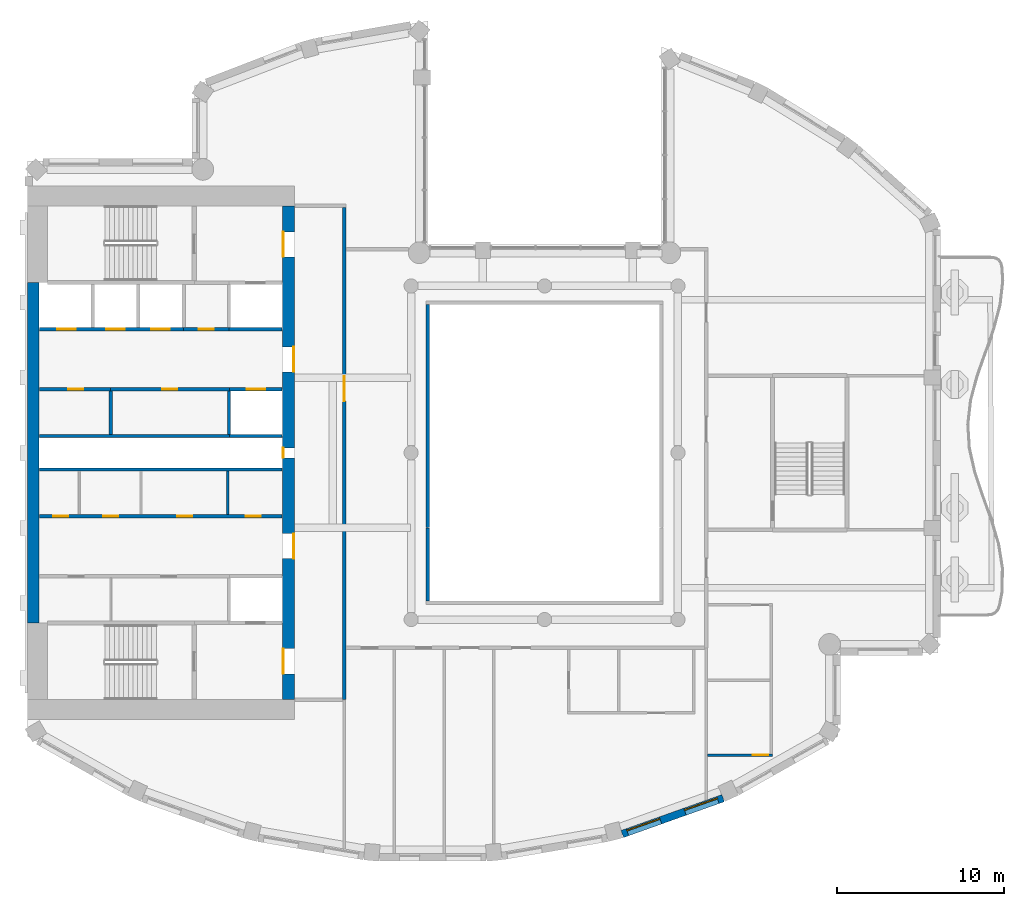
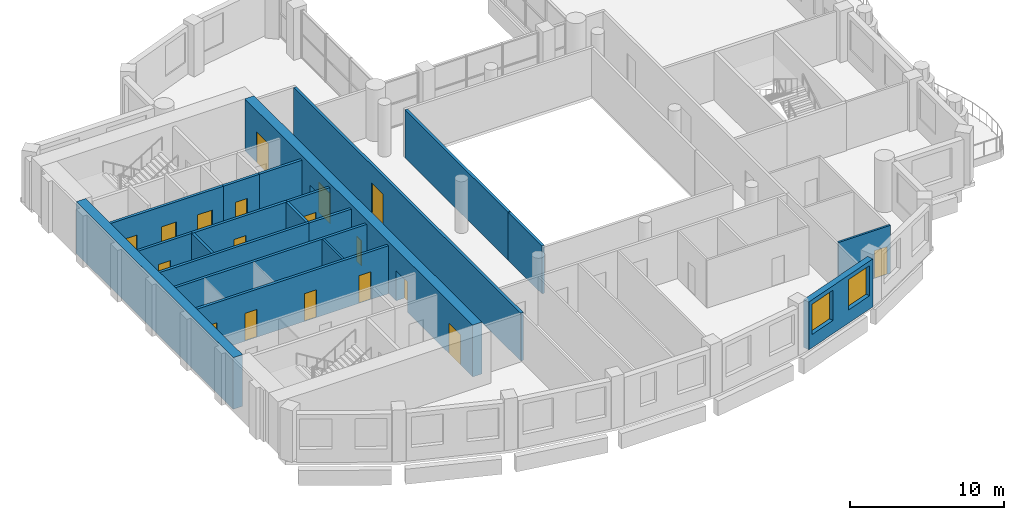
# One storey, part 5 of 14: 20 walls, 18 doors, 2 windows, 20 openings.
"""IFC4 building model written with IfcOpenShell, lengths in metres."""

from ifc_helpers import new_model, si_unit, direction, frame, frame_2d, origin, place, context, subcontext, project, spatial, rectangle, extrude, material, layer, layer_set, type_object, element, fill, save


model = new_model("IFC4")

# Units and contexts
model_context = context("Model", 3, precision=1e-05, world=origin(), true_north=direction((0.0, 1.0)))
body_context = subcontext(model_context, "Body", "Model", "MODEL_VIEW")
ifc_project = project(units=[si_unit("LENGTHUNIT", "METRE"), si_unit("AREAUNIT", "SQUARE_METRE"), si_unit("VOLUMEUNIT", "CUBIC_METRE"), si_unit("PLANEANGLEUNIT", "RADIAN"), si_unit("MASSUNIT", "GRAM", prefix="KILO")], contexts=[model_context])

# Site, building, storey
site_placement = place(None, origin())
site = spatial("IfcSite", under=ifc_project, at=site_placement, CompositionType="ELEMENT")
building_placement = place(site_placement, origin())
building = spatial("IfcBuilding", under=site, at=building_placement, Name="Cypress Arch Tower", CompositionType="ELEMENT")
storey_placement = place(building_placement, frame((0.0, 0.0, 268.0)))
storey = spatial("IfcBuildingStorey", under=building, at=storey_placement, Name="L60", CompositionType="ELEMENT", Elevation=268.0)

# Wall, openings, windows
ifc_material_1 = material(Name="Brick (red buff blend)", Category="masonry")
ifc_layer_1 = layer(ifc_material_1, 0.449951171875)
ifc_layer_set_1 = layer_set([ifc_layer_1], Name="Brick pier and spandrel wall BW450")
wall_type_1 = type_object("IfcWallType", Name="Brick pier and spandrel wall BW450", PredefinedType="SOLIDWALL", material=ifc_layer_set_1)
wall_1_placement = place(storey_placement, frame((5.66455078125, -22.859375, 0.0), z_axis=(0.0, 0.0, 1.0), x_axis=(0.942108340262, 0.335308626803, 0.0)))
wall_1 = element("IfcWall", 1, at=wall_1_placement, inside=storey, type_object=wall_type_1, Name="Brick wall L60 C13.0", PredefinedType="SOLIDWALL", context=body_context, shape_type="SweptSolid", body=[
    extrude(rectangle(XDim=6.41162109375, YDim=0.449951171875, at=frame_2d((3.205810546875, 0.0))), origin(), (0.0, 0.0, 1.0), 3.800048828125),
])
opening_1_placement = place(wall_1_placement, frame((0.3271484375, 0.0, 1.050048828125)))
opening_1 = element("IfcOpeningElement", 2, at=opening_1_placement, cuts=wall_1, Name="Opening W210O", PredefinedType="OPENING", context=body_context, shape_type="SweptSolid", body=[
    extrude(rectangle(XDim=2.10009765625, YDim=2.39990234375, at=frame_2d((1.050048828125, 1.199951171875))), frame((0.0, 0.23486328125, 0.0), z_axis=(0.0, -1.0, 0.0), x_axis=(1.0, 0.0, 0.0)), (0.0, 0.0, 1.0), 0.469970703125),
])
opening_2_placement = place(wall_1_placement, frame((3.984619140625, 0.0, 1.050048828125)))
opening_2 = element("IfcOpeningElement", 3, at=opening_2_placement, cuts=wall_1, Name="Opening W210O", PredefinedType="OPENING", context=body_context, shape_type="SweptSolid", body=[
    extrude(rectangle(XDim=2.10009765625, YDim=2.39990234375, at=frame_2d((1.050048828125, 1.199951171875))), frame((0.0, 0.23486328125, 0.0), z_axis=(0.0, -1.0, 0.0), x_axis=(1.0, 0.0, 0.0)), (0.0, 0.0, 1.0), 0.469970703125),
])
ifc_material_2 = material(Name="Anodised aluminium, bronze finish, clear low-emissivity double glazing", Category="aluminium")
window_type = type_object("IfcWindowType", Name="Window Office 2100x2400", PartitioningType="SINGLE_PANEL", PredefinedType="WINDOW", material=ifc_material_2)
window_1_placement = place(opening_1_placement, origin())
window_1 = element("IfcWindow", 4, at=window_1_placement, inside=storey, type_object=window_type, Name="Window L60 C13.0.1", OverallHeight=2.39990234375, OverallWidth=2.10009765625, PartitioningType="SINGLE_PANEL", PredefinedType="WINDOW", context=body_context, shape_type="SweptSolid", body=[
    extrude(rectangle(XDim=2.10009765625, YDim=2.39990234375, at=frame_2d((1.050048828125, 1.199951171875))), frame((0.0, 0.135009765625, 0.0), z_axis=(0.0, -1.0, 0.0), x_axis=(1.0, 0.0, 0.0)), (0.0, 0.0, 1.0), 0.06005859375),
])
fill(opening_1, window_1)
window_2_placement = place(opening_2_placement, origin())
window_2 = element("IfcWindow", 5, at=window_2_placement, inside=storey, type_object=window_type, Name="Window L60 C13.0.2", OverallHeight=2.39990234375, OverallWidth=2.10009765625, PartitioningType="SINGLE_PANEL", PredefinedType="WINDOW", context=body_context, shape_type="SweptSolid", body=[
    extrude(rectangle(XDim=2.10009765625, YDim=2.39990234375, at=frame_2d((1.050048828125, 1.199951171875))), frame((0.0, 0.135009765625, 0.0), z_axis=(0.0, -1.0, 0.0), x_axis=(1.0, 0.0, 0.0)), (0.0, 0.0, 1.0), 0.06005859375),
])
fill(opening_2, window_2)

# Wall, openings, doors
ifc_material_3 = material(Name="Concrete C60/75", Category="concrete")
ifc_layer_2 = layer(ifc_material_3, 0.699951171875)
ifc_layer_set_2 = layer_set([ifc_layer_2], Name="Core wall CW700 C60/75")
wall_type_2 = type_object("IfcWallType", Name="Core wall CW700 C60/75", PredefinedType="SHEAR", material=ifc_layer_set_2)
wall_2_placement = place(storey_placement, frame((-14.35009765625, -14.800048828125, 0.0), z_axis=(0.0, 0.0, 1.0), x_axis=(0.0, 1.0, 0.0)))
wall_2 = element("IfcWall", 6, at=wall_2_placement, inside=storey, type_object=wall_type_2, Name="Core wall", PredefinedType="SHEAR", context=body_context, shape_type="SweptSolid", body=[
    extrude(rectangle(XDim=29.60009765625, YDim=0.699951171875, at=frame_2d((14.800048828125, 0.0))), origin(), (0.0, 0.0, 1.0), 4.10009765625),
])
opening_3_placement = place(wall_2_placement, frame((1.550048828125, 0.0, 0.0)))
opening_3 = element("IfcOpeningElement", 7, at=opening_3_placement, cuts=wall_2, Name="Opening D07", PredefinedType="OPENING", context=body_context, shape_type="SweptSolid", body=[
    extrude(rectangle(XDim=1.5, YDim=2.39990234375, at=frame_2d((0.75, 1.199951171875))), frame((0.0, 0.35986328125, 0.0), z_axis=(0.0, -1.0, 0.0), x_axis=(1.0, 0.0, 0.0)), (0.0, 0.0, 1.0), 0.719970703125),
])
opening_4_placement = place(wall_2_placement, frame((26.550048828125, 0.0, 0.0)))
opening_4 = element("IfcOpeningElement", 8, at=opening_4_placement, cuts=wall_2, Name="Opening D07", PredefinedType="OPENING", context=body_context, shape_type="SweptSolid", body=[
    extrude(rectangle(XDim=1.5, YDim=2.39990234375, at=frame_2d((0.75, 1.199951171875))), frame((0.0, 0.35986328125, 0.0), z_axis=(0.0, -1.0, 0.0), x_axis=(1.0, 0.0, 0.0)), (0.0, 0.0, 1.0), 0.719970703125),
])
opening_5_placement = place(wall_2_placement, frame((8.449951171875, 0.0, 0.0)))
opening_5 = element("IfcOpeningElement", 9, at=opening_5_placement, cuts=wall_2, Name="Opening D07", PredefinedType="OPENING", context=body_context, shape_type="SweptSolid", body=[
    extrude(rectangle(XDim=1.5, YDim=2.39990234375, at=frame_2d((0.75, 1.199951171875))), frame((0.0, 0.35986328125, 0.0), z_axis=(0.0, -1.0, 0.0), x_axis=(1.0, 0.0, 0.0)), (0.0, 0.0, 1.0), 0.719970703125),
])
opening_6_placement = place(wall_2_placement, frame((19.64990234375, 0.0, 0.0)))
opening_6 = element("IfcOpeningElement", 10, at=opening_6_placement, cuts=wall_2, Name="Opening D07", PredefinedType="OPENING", context=body_context, shape_type="SweptSolid", body=[
    extrude(rectangle(XDim=1.5, YDim=2.39990234375, at=frame_2d((0.75, 1.199951171875))), frame((0.0, 0.35986328125, 0.0), z_axis=(0.0, -1.0, 0.0), x_axis=(1.0, 0.0, 0.0)), (0.0, 0.0, 1.0), 0.719970703125),
])
opening_7_placement = place(wall_2_placement, frame((14.5, 0.0, 0.0)))
opening_7 = element("IfcOpeningElement", 11, at=opening_7_placement, cuts=wall_2, Name="Opening D08", PredefinedType="OPENING", context=body_context, shape_type="SweptSolid", body=[
    extrude(rectangle(XDim=0.60009765625, YDim=2.0, at=frame_2d((0.300048828125, 1.0))), frame((0.0, 0.35986328125, 0.0), z_axis=(0.0, -1.0, 0.0), x_axis=(1.0, 0.0, 0.0)), (0.0, 0.0, 1.0), 0.719970703125),
])
ifc_material_4 = material(Name="Steel framed glazed door, fire resisting", Category="steel")
door_type_1 = type_object("IfcDoorType", Name="Lobby door D07 1500x2400", OperationType="DOUBLE_DOOR_SINGLE_SWING", PredefinedType="DOOR", material=ifc_material_4)
door_1_placement = place(opening_3_placement, origin())
door_1 = element("IfcDoor", 12, at=door_1_placement, inside=storey, type_object=door_type_1, Name="Lobby door", OperationType="DOUBLE_DOOR_SINGLE_SWING", OverallHeight=2.39990234375, OverallWidth=1.5, PredefinedType="DOOR", context=body_context, shape_type="SweptSolid", body=[
    extrude(rectangle(XDim=1.5, YDim=2.39990234375, at=frame_2d((0.75, 1.199951171875))), frame((0.0, 0.34521484375, 0.0), z_axis=(0.0, -1.0, 0.0), x_axis=(1.0, 0.0, 0.0)), (0.0, 0.0, 1.0), 0.050048828125),
])
fill(opening_3, door_1)
door_2_placement = place(opening_4_placement, origin())
door_2 = element("IfcDoor", 13, at=door_2_placement, inside=storey, type_object=door_type_1, Name="Lobby door", OperationType="DOUBLE_DOOR_SINGLE_SWING", OverallHeight=2.39990234375, OverallWidth=1.5, PredefinedType="DOOR", context=body_context, shape_type="SweptSolid", body=[
    extrude(rectangle(XDim=1.5, YDim=2.39990234375, at=frame_2d((0.75, 1.199951171875))), frame((0.0, 0.34521484375, 0.0), z_axis=(0.0, -1.0, 0.0), x_axis=(1.0, 0.0, 0.0)), (0.0, 0.0, 1.0), 0.050048828125),
])
fill(opening_4, door_2)
door_3_placement = place(opening_5_placement, origin())
door_3 = element("IfcDoor", 14, at=door_3_placement, inside=storey, type_object=door_type_1, Name="Lobby door", OperationType="DOUBLE_DOOR_SINGLE_SWING", OverallHeight=2.39990234375, OverallWidth=1.5, PredefinedType="DOOR", context=body_context, shape_type="SweptSolid", body=[
    extrude(rectangle(XDim=1.5, YDim=2.39990234375, at=frame_2d((0.75, 1.199951171875))), frame((0.0, -0.294921875, 0.0), z_axis=(0.0, -1.0, 0.0), x_axis=(1.0, 0.0, 0.0)), (0.0, 0.0, 1.0), 0.050048828125),
])
fill(opening_5, door_3)
door_4_placement = place(opening_6_placement, origin())
door_4 = element("IfcDoor", 15, at=door_4_placement, inside=storey, type_object=door_type_1, Name="Lobby door", OperationType="DOUBLE_DOOR_SINGLE_SWING", OverallHeight=2.39990234375, OverallWidth=1.5, PredefinedType="DOOR", context=body_context, shape_type="SweptSolid", body=[
    extrude(rectangle(XDim=1.5, YDim=2.39990234375, at=frame_2d((0.75, 1.199951171875))), frame((0.0, -0.294921875, 0.0), z_axis=(0.0, -1.0, 0.0), x_axis=(1.0, 0.0, 0.0)), (0.0, 0.0, 1.0), 0.050048828125),
])
fill(opening_6, door_4)
ifc_material_5 = material(Name="Steel access door, fire resisting", Category="steel")
door_type_2 = type_object("IfcDoorType", Name="Riser access door D08 600x2000", OperationType="SINGLE_SWING_LEFT", PredefinedType="DOOR", material=ifc_material_5)
door_5_placement = place(opening_7_placement, origin())
door_5 = element("IfcDoor", 16, at=door_5_placement, inside=storey, type_object=door_type_2, Name="Riser access door", OperationType="SINGLE_SWING_RIGHT", OverallHeight=2.0, OverallWidth=0.60009765625, PredefinedType="DOOR", context=body_context, shape_type="SweptSolid", body=[
    extrude(rectangle(XDim=0.60009765625, YDim=2.0, at=frame_2d((0.300048828125, 1.0))), frame((0.0, 0.34521484375, 0.0), z_axis=(0.0, -1.0, 0.0), x_axis=(1.0, 0.0, 0.0)), (0.0, 0.0, 1.0), 0.050048828125),
])
fill(opening_7, door_5)

# Wall
wall_3_placement = place(storey_placement, frame((-29.64990234375, -10.199951171875, 0.0), z_axis=(0.0, 0.0, 1.0), x_axis=(0.0, 1.0, 0.0)))
element("IfcWall", 17, at=wall_3_placement, inside=storey, type_object=wall_type_2, Name="Core wall", PredefinedType="SHEAR", context=body_context, shape_type="SweptSolid", body=[
    extrude(rectangle(XDim=20.39990234375, YDim=0.699951171875, at=frame_2d((10.199951171875, 0.0))), origin(), (0.0, 0.0, 1.0), 4.10009765625),
])

# Wall, openings, doors
ifc_material_6 = material(Name="Concrete blockwork, plastered, rated", Category="masonry")
ifc_layer_3 = layer(ifc_material_6, 0.199951171875)
ifc_layer_set_3 = layer_set([ifc_layer_3], Name="Corridor wall FW200")
wall_type_3 = type_object("IfcWallType", Name="Corridor wall FW200", PredefinedType="PARTITIONING", material=ifc_layer_set_3)
wall_4_placement = place(storey_placement, frame((-29.27001953125, -3.800048828125, 0.0), z_axis=(0.0, 0.0, 1.0), x_axis=(1.0, 0.0, 0.0)))
wall_4 = element("IfcWall", 18, at=wall_4_placement, inside=storey, type_object=wall_type_3, Name="Corridor wall", PredefinedType="PARTITIONING", context=body_context, shape_type="SweptSolid", body=[
    extrude(rectangle(XDim=14.5400390625, YDim=0.199951171875, at=frame_2d((7.27001953125, 0.0))), origin(), (0.0, 0.0, 1.0), 3.800048828125),
])
opening_8_placement = place(wall_4_placement, frame((0.800048828125, 0.0, 0.0)))
opening_8 = element("IfcOpeningElement", 19, at=opening_8_placement, cuts=wall_4, Name="Opening D05", PredefinedType="OPENING", context=body_context, shape_type="SweptSolid", body=[
    extrude(rectangle(XDim=0.89990234375, YDim=2.199951171875, at=frame_2d((0.449951171875, 1.10009765625))), frame((0.0, 0.10986328125, 0.0), z_axis=(0.0, -1.0, 0.0), x_axis=(1.0, 0.0, 0.0)), (0.0, 0.0, 1.0), 0.219970703125),
])
opening_9_placement = place(wall_4_placement, frame((3.800048828125, 0.0, 0.0)))
opening_9 = element("IfcOpeningElement", 20, at=opening_9_placement, cuts=wall_4, Name="Opening D05", PredefinedType="OPENING", context=body_context, shape_type="SweptSolid", body=[
    extrude(rectangle(XDim=0.89990234375, YDim=2.199951171875, at=frame_2d((0.449951171875, 1.10009765625))), frame((0.0, 0.10986328125, 0.0), z_axis=(0.0, -1.0, 0.0), x_axis=(1.0, 0.0, 0.0)), (0.0, 0.0, 1.0), 0.219970703125),
])
opening_10_placement = place(wall_4_placement, frame((8.25, 0.0, 0.0)))
opening_10 = element("IfcOpeningElement", 21, at=opening_10_placement, cuts=wall_4, Name="Opening D05", PredefinedType="OPENING", context=body_context, shape_type="SweptSolid", body=[
    extrude(rectangle(XDim=0.89990234375, YDim=2.199951171875, at=frame_2d((0.449951171875, 1.10009765625))), frame((0.0, 0.10986328125, 0.0), z_axis=(0.0, -1.0, 0.0), x_axis=(1.0, 0.0, 0.0)), (0.0, 0.0, 1.0), 0.219970703125),
])
opening_11_placement = place(wall_4_placement, frame((12.35009765625, 0.0, 0.0)))
opening_11 = element("IfcOpeningElement", 22, at=opening_11_placement, cuts=wall_4, Name="Opening D05", PredefinedType="OPENING", context=body_context, shape_type="SweptSolid", body=[
    extrude(rectangle(XDim=0.89990234375, YDim=2.199951171875, at=frame_2d((0.449951171875, 1.10009765625))), frame((0.0, 0.10986328125, 0.0), z_axis=(0.0, -1.0, 0.0), x_axis=(1.0, 0.0, 0.0)), (0.0, 0.0, 1.0), 0.219970703125),
])
ifc_material_7 = material(Name="Timber flush door", Category="wood")
door_type_3 = type_object("IfcDoorType", Name="Service door D05 900x2200", OperationType="SINGLE_SWING_LEFT", PredefinedType="DOOR", material=ifc_material_7)
door_6_placement = place(opening_8_placement, origin())
door_6 = element("IfcDoor", 23, at=door_6_placement, inside=storey, type_object=door_type_3, Name="Service door", OperationType="SINGLE_SWING_RIGHT", OverallHeight=2.199951171875, OverallWidth=0.89990234375, PredefinedType="DOOR", context=body_context, shape_type="SweptSolid", body=[
    extrude(rectangle(XDim=0.89990234375, YDim=2.199951171875, at=frame_2d((0.449951171875, 1.10009765625))), frame((0.0, 0.02490234375, 0.0), z_axis=(0.0, -1.0, 0.0), x_axis=(1.0, 0.0, 0.0)), (0.0, 0.0, 1.0), 0.050048828125),
])
fill(opening_8, door_6)
door_7_placement = place(opening_9_placement, origin())
door_7 = element("IfcDoor", 24, at=door_7_placement, inside=storey, type_object=door_type_3, Name="Service door", OperationType="SINGLE_SWING_RIGHT", OverallHeight=2.199951171875, OverallWidth=0.89990234375, PredefinedType="DOOR", context=body_context, shape_type="SweptSolid", body=[
    extrude(rectangle(XDim=0.89990234375, YDim=2.199951171875, at=frame_2d((0.449951171875, 1.10009765625))), frame((0.0, 0.02490234375, 0.0), z_axis=(0.0, -1.0, 0.0), x_axis=(1.0, 0.0, 0.0)), (0.0, 0.0, 1.0), 0.050048828125),
])
fill(opening_9, door_7)
door_8_placement = place(opening_10_placement, origin())
door_8 = element("IfcDoor", 25, at=door_8_placement, inside=storey, type_object=door_type_3, Name="Service door", OperationType="SINGLE_SWING_RIGHT", OverallHeight=2.199951171875, OverallWidth=0.89990234375, PredefinedType="DOOR", context=body_context, shape_type="SweptSolid", body=[
    extrude(rectangle(XDim=0.89990234375, YDim=2.199951171875, at=frame_2d((0.449951171875, 1.10009765625))), frame((0.0, 0.02490234375, 0.0), z_axis=(0.0, -1.0, 0.0), x_axis=(1.0, 0.0, 0.0)), (0.0, 0.0, 1.0), 0.050048828125),
])
fill(opening_10, door_8)
door_9_placement = place(opening_11_placement, origin())
door_9 = element("IfcDoor", 26, at=door_9_placement, inside=storey, type_object=door_type_3, Name="Service door", OperationType="SINGLE_SWING_LEFT", OverallHeight=2.199951171875, OverallWidth=0.89990234375, PredefinedType="DOOR", context=body_context, shape_type="SweptSolid", body=[
    extrude(rectangle(XDim=0.89990234375, YDim=2.199951171875, at=frame_2d((0.449951171875, 1.10009765625))), frame((0.0, 0.02490234375, 0.0), z_axis=(0.0, -1.0, 0.0), x_axis=(1.0, 0.0, 0.0)), (0.0, 0.0, 1.0), 0.050048828125),
])
fill(opening_11, door_9)

# Wall, opening, door
wall_5_placement = place(storey_placement, frame((-29.27001953125, 3.800048828125, 0.0), z_axis=(0.0, 0.0, 1.0), x_axis=(1.0, 0.0, 0.0)))
wall_5 = element("IfcWall", 27, at=wall_5_placement, inside=storey, type_object=wall_type_3, Name="Corridor wall", PredefinedType="PARTITIONING", context=body_context, shape_type="SweptSolid", body=[
    extrude(rectangle(XDim=4.25, YDim=0.199951171875, at=frame_2d((2.125, 0.0))), origin(), (0.0, 0.0, 1.0), 3.800048828125),
])
opening_12_placement = place(wall_5_placement, frame((1.699951171875, 0.0, 0.0)))
opening_12 = element("IfcOpeningElement", 28, at=opening_12_placement, cuts=wall_5, Name="Opening D05", PredefinedType="OPENING", context=body_context, shape_type="SweptSolid", body=[
    extrude(rectangle(XDim=0.89990234375, YDim=2.199951171875, at=frame_2d((0.449951171875, 1.10009765625))), frame((0.0, 0.10986328125, 0.0), z_axis=(0.0, -1.0, 0.0), x_axis=(1.0, 0.0, 0.0)), (0.0, 0.0, 1.0), 0.219970703125),
])
door_10_placement = place(opening_12_placement, origin())
door_10 = element("IfcDoor", 29, at=door_10_placement, inside=storey, type_object=door_type_3, Name="Service door", OperationType="SINGLE_SWING_LEFT", OverallHeight=2.199951171875, OverallWidth=0.89990234375, PredefinedType="DOOR", context=body_context, shape_type="SweptSolid", body=[
    extrude(rectangle(XDim=0.89990234375, YDim=2.199951171875, at=frame_2d((0.449951171875, 1.10009765625))), frame((0.0, 0.02490234375, 0.0), z_axis=(0.0, -1.0, 0.0), x_axis=(1.0, 0.0, 0.0)), (0.0, 0.0, 1.0), 0.050048828125),
])
fill(opening_12, door_10)

wall_6_placement = place(storey_placement, frame((-20.639892578125, 7.39990234375, 0.0), z_axis=(0.0, 0.0, 1.0), x_axis=(1.0, 0.0, 0.0)))
wall_6 = element("IfcWall", 30, at=wall_6_placement, inside=storey, type_object=wall_type_3, Name="Corridor wall", PredefinedType="PARTITIONING", context=body_context, shape_type="SweptSolid", body=[
    extrude(rectangle(XDim=2.719970703125, YDim=0.199951171875, at=frame_2d((1.35986328125, 0.0))), origin(), (0.0, 0.0, 1.0), 3.800048828125),
])
opening_13_placement = place(wall_6_placement, frame((0.89990234375, 0.0, 0.0)))
opening_13 = element("IfcOpeningElement", 31, at=opening_13_placement, cuts=wall_6, Name="Opening D05", PredefinedType="OPENING", context=body_context, shape_type="SweptSolid", body=[
    extrude(rectangle(XDim=0.89990234375, YDim=2.199951171875, at=frame_2d((0.449951171875, 1.10009765625))), frame((0.0, 0.10986328125, 0.0), z_axis=(0.0, -1.0, 0.0), x_axis=(1.0, 0.0, 0.0)), (0.0, 0.0, 1.0), 0.219970703125),
])
door_11_placement = place(opening_13_placement, origin())
door_11 = element("IfcDoor", 32, at=door_11_placement, inside=storey, type_object=door_type_3, Name="Service door", OperationType="SINGLE_SWING_LEFT", OverallHeight=2.199951171875, OverallWidth=0.89990234375, PredefinedType="DOOR", context=body_context, shape_type="SweptSolid", body=[
    extrude(rectangle(XDim=0.89990234375, YDim=2.199951171875, at=frame_2d((0.449951171875, 1.10009765625))), frame((0.0, 0.02490234375, 0.0), z_axis=(0.0, -1.0, 0.0), x_axis=(1.0, 0.0, 0.0)), (0.0, 0.0, 1.0), 0.050048828125),
])
fill(opening_13, door_11)

wall_7_placement = place(storey_placement, frame((-11.0, -14.800048828125, 0.0), z_axis=(0.0, 0.0, 1.0), x_axis=(0.0, 1.0, 0.0)))
wall_7 = element("IfcWall", 33, at=wall_7_placement, inside=storey, type_object=wall_type_3, Name="Corridor wall", PredefinedType="PARTITIONING", context=body_context, shape_type="SweptSolid", body=[
    extrude(rectangle(XDim=29.5, YDim=0.199951171875, at=frame_2d((14.75, 0.0))), origin(), (0.0, 0.0, 1.0), 3.800048828125),
])
opening_14_placement = place(wall_7_placement, frame((17.89990234375, 0.0, 0.0)))
opening_14 = element("IfcOpeningElement", 34, at=opening_14_placement, cuts=wall_7, Name="Opening D07", PredefinedType="OPENING", context=body_context, shape_type="SweptSolid", body=[
    extrude(rectangle(XDim=1.5, YDim=2.39990234375, at=frame_2d((0.75, 1.199951171875))), frame((0.0, 0.10986328125, 0.0), z_axis=(0.0, -1.0, 0.0), x_axis=(1.0, 0.0, 0.0)), (0.0, 0.0, 1.0), 0.219970703125),
])
door_12_placement = place(opening_14_placement, origin())
door_12 = element("IfcDoor", 35, at=door_12_placement, inside=storey, type_object=door_type_1, Name="Lobby door", OperationType="DOUBLE_DOOR_SINGLE_SWING", OverallHeight=2.39990234375, OverallWidth=1.5, PredefinedType="DOOR", context=body_context, shape_type="SweptSolid", body=[
    extrude(rectangle(XDim=1.5, YDim=2.39990234375, at=frame_2d((0.75, 1.199951171875))), frame((0.0, 0.02490234375, 0.0), z_axis=(0.0, -1.0, 0.0), x_axis=(1.0, 0.0, 0.0)), (0.0, 0.0, 1.0), 0.050048828125),
])
fill(opening_14, door_12)

# Walls
wall_8_placement = place(storey_placement, frame((-6.0, -8.89990234375, 0.0), z_axis=(0.0, 0.0, 1.0), x_axis=(0.0, 1.0, 0.0)))
element("IfcWall", 36, at=wall_8_placement, inside=storey, type_object=wall_type_3, Name="Corridor wall", PredefinedType="PARTITIONING", context=body_context, shape_type="SweptSolid", body=[
    extrude(rectangle(XDim=4.3798828125, YDim=0.199951171875, at=frame_2d((2.18994140625, 0.0))), origin(), (0.0, 0.0, 1.0), 3.800048828125),
])
wall_9_placement = place(storey_placement, frame((-6.0, -4.47998046875, 0.0), z_axis=(0.0, 0.0, 1.0), x_axis=(0.0, 1.0, 0.0)))
element("IfcWall", 37, at=wall_9_placement, inside=storey, type_object=wall_type_3, Name="Corridor wall", PredefinedType="PARTITIONING", context=body_context, shape_type="SweptSolid", body=[
    extrude(rectangle(XDim=13.3798828125, YDim=0.199951171875, at=frame_2d((6.68994140625, 0.0))), origin(), (0.0, 0.0, 1.0), 3.800048828125),
])
ifc_material_8 = material(Name="Blockwork, plastered both sides", Category="masonry")
ifc_layer_4 = layer(ifc_material_8, 0.14990234375)
ifc_layer_set_4 = layer_set([ifc_layer_4], Name="Partition PW150")
wall_type_4 = type_object("IfcWallType", Name="Partition PW150", PredefinedType="PARTITIONING", material=ifc_layer_set_4)
wall_10_placement = place(storey_placement, frame((-18.0, -3.699951171875, 0.0), z_axis=(0.0, 0.0, 1.0), x_axis=(0.0, 1.0, 0.0)))
element("IfcWall", 38, at=wall_10_placement, inside=storey, type_object=wall_type_4, Name="Partition", PredefinedType="PARTITIONING", context=body_context, shape_type="SweptSolid", body=[
    extrude(rectangle(XDim=2.599853515625, YDim=0.14990234375, at=frame_2d((1.2998046875, 0.0))), origin(), (0.0, 0.0, 1.0), 3.800048828125),
])

# Wall, opening, door
wall_11_placement = place(storey_placement, frame((10.77490234375, -18.125, 0.0), z_axis=(0.0, 0.0, 1.0), x_axis=(1.0, 0.0, 0.0)))
wall_11 = element("IfcWall", 39, at=wall_11_placement, inside=storey, type_object=wall_type_4, Name="Partition", PredefinedType="PARTITIONING", context=body_context, shape_type="SweptSolid", body=[
    extrude(rectangle(XDim=3.900146484375, YDim=0.14990234375, at=frame_2d((1.9501953125, 0.0))), origin(), (0.0, 0.0, 1.0), 3.800048828125),
])
opening_15_placement = place(wall_11_placement, frame((2.699951171875, 0.0, 0.0)))
opening_15 = element("IfcOpeningElement", 40, at=opening_15_placement, cuts=wall_11, Name="Opening D12", PredefinedType="OPENING", context=body_context, shape_type="SweptSolid", body=[
    extrude(rectangle(XDim=0.949951171875, YDim=2.199951171875, at=frame_2d((0.47509765625, 1.10009765625))), frame((0.0, 0.0849609375, 0.0), z_axis=(0.0, -1.0, 0.0), x_axis=(1.0, 0.0, 0.0)), (0.0, 0.0, 1.0), 0.169921875),
])
ifc_material_9 = material(Name="Timber flush door", Category="wood")
door_type_4 = type_object("IfcDoorType", Name="Room door D12 950x2200", OperationType="SINGLE_SWING_LEFT", PredefinedType="DOOR", material=ifc_material_9)
door_13_placement = place(opening_15_placement, origin())
door_13 = element("IfcDoor", 41, at=door_13_placement, inside=storey, type_object=door_type_4, Name="Room door", OperationType="SINGLE_SWING_RIGHT", OverallHeight=2.199951171875, OverallWidth=0.949951171875, PredefinedType="DOOR", context=body_context, shape_type="SweptSolid", body=[
    extrude(rectangle(XDim=0.949951171875, YDim=2.199951171875, at=frame_2d((0.47509765625, 1.10009765625))), frame((0.0, 0.02490234375, 0.0), z_axis=(0.0, -1.0, 0.0), x_axis=(1.0, 0.0, 0.0)), (0.0, 0.0, 1.0), 0.050048828125),
])
fill(opening_15, door_13)

# Walls
ifc_material_10 = material(Name="Reinforced blockwork, plastered, rated", Category="masonry")
ifc_layer_5 = layer(ifc_material_10, 0.199951171875)
ifc_layer_set_5 = layer_set([ifc_layer_5], Name="Plant and riser wall PL200")
wall_type_5 = type_object("IfcWallType", Name="Plant and riser wall PL200", PredefinedType="PARTITIONING", material=ifc_layer_set_5)
wall_12_placement = place(storey_placement, frame((-29.27001953125, -1.0, 0.0), z_axis=(0.0, 0.0, 1.0), x_axis=(1.0, 0.0, 0.0)))
element("IfcWall", 42, at=wall_12_placement, inside=storey, type_object=wall_type_5, Name="Plant and riser wall", PredefinedType="PARTITIONING", context=body_context, shape_type="SweptSolid", body=[
    extrude(rectangle(XDim=14.5400390625, YDim=0.199951171875, at=frame_2d((7.27001953125, 0.0))), origin(), (0.0, 0.0, 1.0), 3.800048828125),
])
wall_13_placement = place(storey_placement, frame((-29.27001953125, 1.0, 0.0), z_axis=(0.0, 0.0, 1.0), x_axis=(1.0, 0.0, 0.0)))
element("IfcWall", 43, at=wall_13_placement, inside=storey, type_object=wall_type_5, Name="Plant and riser wall", PredefinedType="PARTITIONING", context=body_context, shape_type="SweptSolid", body=[
    extrude(rectangle(XDim=11.3701171875, YDim=0.199951171875, at=frame_2d((5.68505859375, 0.0))), origin(), (0.0, 0.0, 1.0), 3.800048828125),
])

# Wall, opening, door
wall_14_placement = place(storey_placement, frame((-25.02001953125, 3.800048828125, 0.0), z_axis=(0.0, 0.0, 1.0), x_axis=(1.0, 0.0, 0.0)))
wall_14 = element("IfcWall", 44, at=wall_14_placement, inside=storey, type_object=wall_type_5, Name="Plant and riser wall", PredefinedType="PARTITIONING", context=body_context, shape_type="SweptSolid", body=[
    extrude(rectangle(XDim=7.1201171875, YDim=0.199951171875, at=frame_2d((3.56005859375, 0.0))), origin(), (0.0, 0.0, 1.0), 3.800048828125),
])
opening_16_placement = place(wall_14_placement, frame((3.10009765625, 0.0, 0.0)))
opening_16 = element("IfcOpeningElement", 45, at=opening_16_placement, cuts=wall_14, Name="Opening D05", PredefinedType="OPENING", context=body_context, shape_type="SweptSolid", body=[
    extrude(rectangle(XDim=0.89990234375, YDim=2.199951171875, at=frame_2d((0.449951171875, 1.10009765625))), frame((0.0, 0.10986328125, 0.0), z_axis=(0.0, -1.0, 0.0), x_axis=(1.0, 0.0, 0.0)), (0.0, 0.0, 1.0), 0.219970703125),
])
door_14_placement = place(opening_16_placement, origin())
door_14 = element("IfcDoor", 46, at=door_14_placement, inside=storey, type_object=door_type_3, Name="Service door", OperationType="SINGLE_SWING_RIGHT", OverallHeight=2.199951171875, OverallWidth=0.89990234375, PredefinedType="DOOR", context=body_context, shape_type="SweptSolid", body=[
    extrude(rectangle(XDim=0.89990234375, YDim=2.199951171875, at=frame_2d((0.449951171875, 1.10009765625))), frame((0.0, 0.02490234375, 0.0), z_axis=(0.0, -1.0, 0.0), x_axis=(1.0, 0.0, 0.0)), (0.0, 0.0, 1.0), 0.050048828125),
])
fill(opening_16, door_14)

# Wall
wall_15_placement = place(storey_placement, frame((-25.0, 1.10009765625, 0.0), z_axis=(0.0, 0.0, 1.0), x_axis=(0.0, 1.0, 0.0)))
element("IfcWall", 47, at=wall_15_placement, inside=storey, type_object=wall_type_5, Name="Plant and riser wall", PredefinedType="PARTITIONING", context=body_context, shape_type="SweptSolid", body=[
    extrude(rectangle(XDim=2.599853515625, YDim=0.199951171875, at=frame_2d((1.2998046875, 0.0))), origin(), (0.0, 0.0, 1.0), 3.800048828125),
])

# Wall, openings, doors
ifc_material_11 = material(Name="Concrete C50/60", Category="concrete")
ifc_layer_6 = layer(ifc_material_11, 0.199951171875)
ifc_layer_set_6 = layer_set([ifc_layer_6], Name="Shaft wall SH200")
wall_type_6 = type_object("IfcWallType", Name="Shaft wall SH200", PredefinedType="SHEAR", material=ifc_layer_set_6)
wall_16_placement = place(storey_placement, frame((-29.27001953125, 7.39990234375, 0.0), z_axis=(0.0, 0.0, 1.0), x_axis=(1.0, 0.0, 0.0)))
wall_16 = element("IfcWall", 48, at=wall_16_placement, inside=storey, type_object=wall_type_6, Name="Shaft wall", PredefinedType="SHEAR", context=body_context, shape_type="SweptSolid", body=[
    extrude(rectangle(XDim=8.630126953125, YDim=0.199951171875, at=frame_2d((4.31494140625, 0.0))), origin(), (0.0, 0.0, 1.0), 3.800048828125),
])
opening_17_placement = place(wall_16_placement, frame((1.050048828125, 0.0, 0.0)))
opening_17 = element("IfcOpeningElement", 49, at=opening_17_placement, cuts=wall_16, Name="Opening LD-HR5", PredefinedType="OPENING", context=body_context, shape_type="SweptSolid", body=[
    extrude(rectangle(XDim=1.10009765625, YDim=2.199951171875, at=frame_2d((0.550048828125, 1.10009765625))), frame((0.0, 0.10986328125, 0.0), z_axis=(0.0, -1.0, 0.0), x_axis=(1.0, 0.0, 0.0)), (0.0, 0.0, 1.0), 0.219970703125),
])
opening_18_placement = place(wall_16_placement, frame((4.0, 0.0, 0.0)))
opening_18 = element("IfcOpeningElement", 50, at=opening_18_placement, cuts=wall_16, Name="Opening LD-HR6", PredefinedType="OPENING", context=body_context, shape_type="SweptSolid", body=[
    extrude(rectangle(XDim=1.10009765625, YDim=2.199951171875, at=frame_2d((0.550048828125, 1.10009765625))), frame((0.0, 0.10986328125, 0.0), z_axis=(0.0, -1.0, 0.0), x_axis=(1.0, 0.0, 0.0)), (0.0, 0.0, 1.0), 0.219970703125),
])
opening_19_placement = place(wall_16_placement, frame((6.699951171875, 0.0, 0.0)))
opening_19 = element("IfcOpeningElement", 51, at=opening_19_placement, cuts=wall_16, Name="Opening LD-HR7", PredefinedType="OPENING", context=body_context, shape_type="SweptSolid", body=[
    extrude(rectangle(XDim=1.10009765625, YDim=2.199951171875, at=frame_2d((0.550048828125, 1.10009765625))), frame((0.0, 0.10986328125, 0.0), z_axis=(0.0, -1.0, 0.0), x_axis=(1.0, 0.0, 0.0)), (0.0, 0.0, 1.0), 0.219970703125),
])
ifc_material_12 = material(Name="Stainless steel centre-opening landing door, rated", Category="steel")
door_type_5 = type_object("IfcDoorType", Name="Lift landing door LD 1100x2200", OperationType="DOUBLE_DOOR_SLIDING", PredefinedType="DOOR", material=ifc_material_12)
door_15_placement = place(opening_17_placement, origin())
door_15 = element("IfcDoor", 52, at=door_15_placement, inside=storey, type_object=door_type_5, Name="Lift landing doors HR5", OperationType="DOUBLE_DOOR_SLIDING", OverallHeight=2.199951171875, OverallWidth=1.10009765625, PredefinedType="DOOR", context=body_context, shape_type="SweptSolid", body=[
    extrude(rectangle(XDim=1.10009765625, YDim=2.199951171875, at=frame_2d((0.550048828125, 1.10009765625))), frame((0.0, 0.02490234375, 0.0), z_axis=(0.0, -1.0, 0.0), x_axis=(1.0, 0.0, 0.0)), (0.0, 0.0, 1.0), 0.050048828125),
])
fill(opening_17, door_15)
door_16_placement = place(opening_18_placement, origin())
door_16 = element("IfcDoor", 53, at=door_16_placement, inside=storey, type_object=door_type_5, Name="Lift landing doors HR6", OperationType="DOUBLE_DOOR_SLIDING", OverallHeight=2.199951171875, OverallWidth=1.10009765625, PredefinedType="DOOR", context=body_context, shape_type="SweptSolid", body=[
    extrude(rectangle(XDim=1.10009765625, YDim=2.199951171875, at=frame_2d((0.550048828125, 1.10009765625))), frame((0.0, 0.02490234375, 0.0), z_axis=(0.0, -1.0, 0.0), x_axis=(1.0, 0.0, 0.0)), (0.0, 0.0, 1.0), 0.050048828125),
])
fill(opening_18, door_16)
door_17_placement = place(opening_19_placement, origin())
door_17 = element("IfcDoor", 54, at=door_17_placement, inside=storey, type_object=door_type_5, Name="Lift landing doors HR7", OperationType="DOUBLE_DOOR_SLIDING", OverallHeight=2.199951171875, OverallWidth=1.10009765625, PredefinedType="DOOR", context=body_context, shape_type="SweptSolid", body=[
    extrude(rectangle(XDim=1.10009765625, YDim=2.199951171875, at=frame_2d((0.550048828125, 1.10009765625))), frame((0.0, 0.02490234375, 0.0), z_axis=(0.0, -1.0, 0.0), x_axis=(1.0, 0.0, 0.0)), (0.0, 0.0, 1.0), 0.050048828125),
])
fill(opening_19, door_17)

# Walls
wall_17_placement = place(storey_placement, frame((-17.919921875, 1.10009765625, 0.0), z_axis=(0.0, 0.0, 1.0), x_axis=(0.0, 1.0, 0.0)))
element("IfcWall", 55, at=wall_17_placement, inside=storey, type_object=wall_type_6, Name="Shaft wall", PredefinedType="SHEAR", context=body_context, shape_type="SweptSolid", body=[
    extrude(rectangle(XDim=2.599853515625, YDim=0.199951171875, at=frame_2d((1.2998046875, 0.0))), origin(), (0.0, 0.0, 1.0), 3.800048828125),
])
wall_18_placement = place(storey_placement, frame((-17.89990234375, 1.0, 0.0), z_axis=(0.0, 0.0, 1.0), x_axis=(1.0, 0.0, 0.0)))
element("IfcWall", 56, at=wall_18_placement, inside=storey, type_object=wall_type_6, Name="Shaft wall", PredefinedType="SHEAR", context=body_context, shape_type="SweptSolid", body=[
    extrude(rectangle(XDim=3.169921875, YDim=0.199951171875, at=frame_2d((1.5849609375, 0.0))), origin(), (0.0, 0.0, 1.0), 3.800048828125),
])

# Wall, opening, door
wall_19_placement = place(storey_placement, frame((-17.89990234375, 3.800048828125, 0.0), z_axis=(0.0, 0.0, 1.0), x_axis=(1.0, 0.0, 0.0)))
wall_19 = element("IfcWall", 57, at=wall_19_placement, inside=storey, type_object=wall_type_6, Name="Shaft wall", PredefinedType="SHEAR", context=body_context, shape_type="SweptSolid", body=[
    extrude(rectangle(XDim=3.169921875, YDim=0.199951171875, at=frame_2d((1.5849609375, 0.0))), origin(), (0.0, 0.0, 1.0), 3.800048828125),
])
opening_20_placement = place(wall_19_placement, frame((1.050048828125, 0.0, 0.0)))
opening_20 = element("IfcOpeningElement", 58, at=opening_20_placement, cuts=wall_19, Name="Opening LD-HR4", PredefinedType="OPENING", context=body_context, shape_type="SweptSolid", body=[
    extrude(rectangle(XDim=1.10009765625, YDim=2.199951171875, at=frame_2d((0.550048828125, 1.10009765625))), frame((0.0, 0.10986328125, 0.0), z_axis=(0.0, -1.0, 0.0), x_axis=(1.0, 0.0, 0.0)), (0.0, 0.0, 1.0), 0.219970703125),
])
door_18_placement = place(opening_20_placement, origin())
door_18 = element("IfcDoor", 59, at=door_18_placement, inside=storey, type_object=door_type_5, Name="Lift landing doors HR4", OperationType="DOUBLE_DOOR_SLIDING", OverallHeight=2.199951171875, OverallWidth=1.10009765625, PredefinedType="DOOR", context=body_context, shape_type="SweptSolid", body=[
    extrude(rectangle(XDim=1.10009765625, YDim=2.199951171875, at=frame_2d((0.550048828125, 1.10009765625))), frame((0.0, 0.02490234375, 0.0), z_axis=(0.0, -1.0, 0.0), x_axis=(1.0, 0.0, 0.0)), (0.0, 0.0, 1.0), 0.050048828125),
])
fill(opening_20, door_18)

# Wall
wall_20_placement = place(storey_placement, frame((-17.919921875, 7.39990234375, 0.0), z_axis=(0.0, 0.0, 1.0), x_axis=(1.0, 0.0, 0.0)))
element("IfcWall", 60, at=wall_20_placement, inside=storey, type_object=wall_type_6, Name="Shaft wall", PredefinedType="SHEAR", context=body_context, shape_type="SweptSolid", body=[
    extrude(rectangle(XDim=3.18994140625, YDim=0.199951171875, at=frame_2d((1.594970703125, 0.0))), origin(), (0.0, 0.0, 1.0), 3.800048828125),
])

save(model, "model.ifc")
